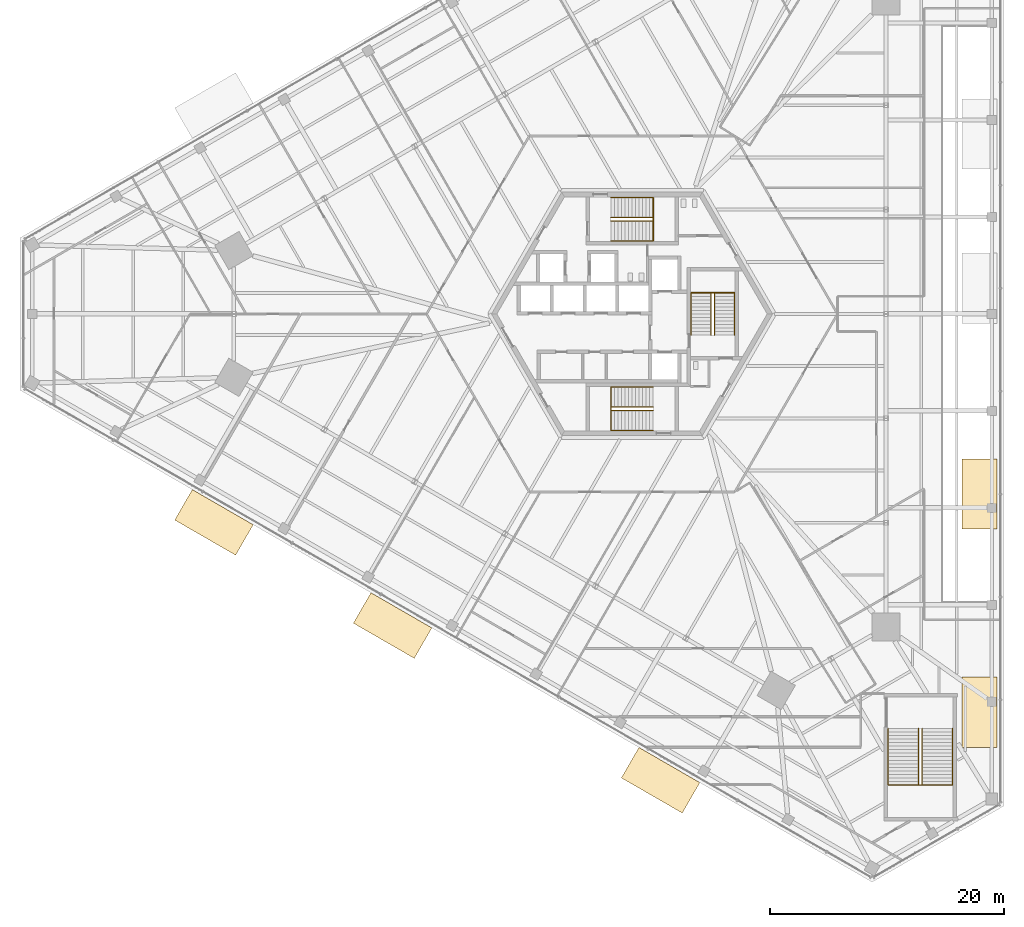
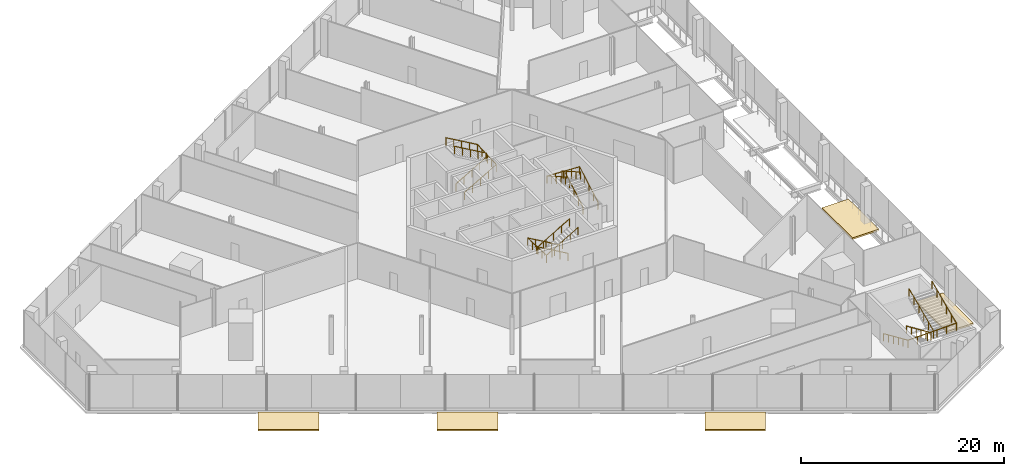
# One storey, part 25 of 27: 8 railings, 5 coverings.
"""IFC4 building model written with IfcOpenShell, lengths in metres."""

from ifc_helpers import new_model, si_unit, direction, frame, origin, origin_2d, place, context, subcontext, project, spatial, rectangle, circle, extrude, source, transform, mapped, material, layer, layer_set, type_object, element, save


model = new_model("IFC4")

# Units and contexts
model_context = context("Model", 3, precision=1e-05, world=origin(), true_north=direction((0.0, 1.0)))
body_context = subcontext(model_context, "Body", "Model", "MODEL_VIEW")
ifc_project = project(units=[si_unit("LENGTHUNIT", "METRE"), si_unit("AREAUNIT", "SQUARE_METRE"), si_unit("VOLUMEUNIT", "CUBIC_METRE"), si_unit("PLANEANGLEUNIT", "RADIAN"), si_unit("MASSUNIT", "GRAM", prefix="KILO")], contexts=[model_context])

# Site, building, storey
site_placement = place(None, origin())
site = spatial("IfcSite", under=ifc_project, at=site_placement, CompositionType="ELEMENT")
building_placement = place(site_placement, origin())
building = spatial("IfcBuilding", under=site, at=building_placement, Name="Triune Harvest Tower", CompositionType="ELEMENT")
storey_placement = place(building_placement, frame((0.0, 0.0, 7.0)))
storey = spatial("IfcBuildingStorey", under=building, at=storey_placement, Name="L01", CompositionType="ELEMENT", Elevation=7.0)

# Railings
ifc_material_1 = material(Name="Stainless steel AISI 316", Category="steel")
railing_type = type_object("IfcRailingType", Name="Stair handrail", PredefinedType="HANDRAIL", material=ifc_material_1)
railing_1_placement = place(storey_placement, frame((21.8701171875, -35.39990234375, 0.13232421875)))
element("IfcRailing", 1, at=railing_1_placement, inside=storey, type_object=railing_type, Name="Podium exit stair south wall handrail", PredefinedType="HANDRAIL", context=body_context, shape_type="SweptSolid", body=[
    extrude(circle(Radius=0.02392578125, at=origin_2d()), frame((0.0, 0.0, 0.8759765625), z_axis=(0.0, -0.914917296127, 0.403641352251), x_axis=(1.0, 0.0, 0.0)), (0.0, 0.0, 1.0), 5.246337890625),
    extrude(circle(Radius=0.02392578125, at=origin_2d()), frame((0.0, -4.800048828125, 2.99365234375), z_axis=(0.999710709072, 0.0, 0.024051988828), x_axis=(0.0, 1.0, 0.0)), (0.0, 0.0, 1.0), 5.501708984375),
    extrude(circle(Radius=0.02392578125, at=origin_2d()), frame((5.5, -4.800048828125, 3.1259765625), z_axis=(0.0, 0.914917296127, 0.403641352251), x_axis=(-1.0, 0.0, 0.0)), (0.0, 0.0, 1.0), 5.246337890625),
    extrude(circle(Radius=0.02099609375, at=origin_2d()), origin(), (0.0, 0.0, 1.0), 0.851806640625),
    extrude(circle(Radius=0.02099609375, at=origin_2d()), frame((0.0, -0.9599609375, 0.423583984375)), (0.0, 0.0, 1.0), 0.851806640625),
    extrude(circle(Radius=0.02099609375, at=origin_2d()), frame((0.0, -1.919921875, 0.84716796875)), (0.0, 0.0, 1.0), 0.851806640625),
    extrude(circle(Radius=0.02099609375, at=origin_2d()), frame((0.0, -2.880126953125, 1.2705078125)), (0.0, 0.0, 1.0), 0.851806640625),
    extrude(circle(Radius=0.02099609375, at=origin_2d()), frame((0.0, -3.840087890625, 1.694091796875)), (0.0, 0.0, 1.0), 0.851806640625),
    extrude(circle(Radius=0.02099609375, at=origin_2d()), frame((0.0, -4.800048828125, 2.11767578125)), (0.0, 0.0, 1.0), 0.851806640625),
    extrude(circle(Radius=0.02099609375, at=origin_2d()), frame((1.10009765625, -4.800048828125, 2.14404296875)), (0.0, 0.0, 1.0), 0.851806640625),
    extrude(circle(Radius=0.02099609375, at=origin_2d()), frame((2.199951171875, -4.800048828125, 2.170654296875)), (0.0, 0.0, 1.0), 0.851806640625),
    extrude(circle(Radius=0.02099609375, at=origin_2d()), frame((3.300048828125, -4.800048828125, 2.197021484375)), (0.0, 0.0, 1.0), 0.851806640625),
    extrude(circle(Radius=0.02099609375, at=origin_2d()), frame((4.39990234375, -4.800048828125, 2.2236328125)), (0.0, 0.0, 1.0), 0.851806640625),
    extrude(circle(Radius=0.02099609375, at=origin_2d()), frame((5.5, -4.800048828125, 2.25)), (0.0, 0.0, 1.0), 0.851806640625),
    extrude(circle(Radius=0.02099609375, at=origin_2d()), frame((5.5, -3.840087890625, 2.673583984375)), (0.0, 0.0, 1.0), 0.851806640625),
    extrude(circle(Radius=0.02099609375, at=origin_2d()), frame((5.5, -2.880126953125, 3.09716796875)), (0.0, 0.0, 1.0), 0.851806640625),
    extrude(circle(Radius=0.02099609375, at=origin_2d()), frame((5.5, -1.919921875, 3.5205078125)), (0.0, 0.0, 1.0), 0.851806640625),
    extrude(circle(Radius=0.02099609375, at=origin_2d()), frame((5.5, -0.9599609375, 3.944091796875)), (0.0, 0.0, 1.0), 0.851806640625),
    extrude(circle(Radius=0.02099609375, at=origin_2d()), frame((5.5, 0.0, 4.36767578125)), (0.0, 0.0, 1.0), 0.851806640625),
])
railing_2_placement = place(storey_placement, frame((24.469970703125, -35.39990234375, 0.13232421875)))
element("IfcRailing", 2, at=railing_2_placement, inside=storey, type_object=railing_type, Name="Podium exit stair south centre handrail", PredefinedType="HANDRAIL", context=body_context, shape_type="SweptSolid", body=[
    extrude(circle(Radius=0.02392578125, at=origin_2d()), frame((0.0, 0.0, 0.8759765625), z_axis=(0.0, -0.914917296127, 0.403641352251), x_axis=(1.0, 0.0, 0.0)), (0.0, 0.0, 1.0), 5.246337890625),
    extrude(circle(Radius=0.02392578125, at=origin_2d()), frame((0.0, -4.800048828125, 2.99365234375), z_axis=(0.914974397301, 0.0, 0.403511898566), x_axis=(0.0, 1.0, 0.0)), (0.0, 0.0, 1.0), 0.327880859375),
    extrude(circle(Radius=0.02392578125, at=origin_2d()), frame((0.300048828125, -4.800048828125, 3.1259765625), z_axis=(0.0, 0.914917296127, 0.403641352251), x_axis=(-1.0, 0.0, 0.0)), (0.0, 0.0, 1.0), 5.246337890625),
    extrude(circle(Radius=0.02099609375, at=origin_2d()), origin(), (0.0, 0.0, 1.0), 0.851806640625),
    extrude(circle(Radius=0.02099609375, at=origin_2d()), frame((0.0, -0.9599609375, 0.423583984375)), (0.0, 0.0, 1.0), 0.851806640625),
    extrude(circle(Radius=0.02099609375, at=origin_2d()), frame((0.0, -1.919921875, 0.84716796875)), (0.0, 0.0, 1.0), 0.851806640625),
    extrude(circle(Radius=0.02099609375, at=origin_2d()), frame((0.0, -2.880126953125, 1.2705078125)), (0.0, 0.0, 1.0), 0.851806640625),
    extrude(circle(Radius=0.02099609375, at=origin_2d()), frame((0.0, -3.840087890625, 1.694091796875)), (0.0, 0.0, 1.0), 0.851806640625),
    extrude(circle(Radius=0.02099609375, at=origin_2d()), frame((0.0, -4.800048828125, 2.11767578125)), (0.0, 0.0, 1.0), 0.851806640625),
    extrude(circle(Radius=0.02099609375, at=origin_2d()), frame((0.300048828125, -4.800048828125, 2.25)), (0.0, 0.0, 1.0), 0.851806640625),
    extrude(circle(Radius=0.02099609375, at=origin_2d()), frame((0.300048828125, -3.840087890625, 2.673583984375)), (0.0, 0.0, 1.0), 0.851806640625),
    extrude(circle(Radius=0.02099609375, at=origin_2d()), frame((0.300048828125, -2.880126953125, 3.09716796875)), (0.0, 0.0, 1.0), 0.851806640625),
    extrude(circle(Radius=0.02099609375, at=origin_2d()), frame((0.300048828125, -1.919921875, 3.5205078125)), (0.0, 0.0, 1.0), 0.851806640625),
    extrude(circle(Radius=0.02099609375, at=origin_2d()), frame((0.300048828125, -0.9599609375, 3.944091796875)), (0.0, 0.0, 1.0), 0.851806640625),
    extrude(circle(Radius=0.02099609375, at=origin_2d()), frame((0.300048828125, 0.0, 4.36767578125)), (0.0, 0.0, 1.0), 0.851806640625),
])
shared_shape_1 = source(origin(), body_context, "Body", "SweptSolid", [
    extrude(circle(Radius=0.02392578125, at=origin_2d()), frame((0.0, 0.0, 0.8759765625), z_axis=(0.866193409371, 0.0, 0.499708892819), x_axis=(0.0, 1.0, 0.0)), (0.0, 0.0, 1.0), 4.15625),
    extrude(circle(Radius=0.02392578125, at=origin_2d()), frame((3.60009765625, 0.0, 2.95263671875), z_axis=(0.0, 0.99890745732, 0.046732127169), x_axis=(-1.0, 0.0, 0.0)), (0.0, 0.0, 1.0), 3.7041015625),
    extrude(circle(Radius=0.02392578125, at=origin_2d()), frame((3.60009765625, 3.699951171875, 3.1259765625), z_axis=(-0.866193409371, 0.0, 0.499708892819), x_axis=(0.0, -1.0, 0.0)), (0.0, 0.0, 1.0), 4.15625),
    extrude(circle(Radius=0.02099609375, at=origin_2d()), origin(), (0.0, 0.0, 1.0), 0.851806640625),
    extrude(circle(Radius=0.02099609375, at=origin_2d()), frame((0.89990234375, 0.0, 0.519287109375)), (0.0, 0.0, 1.0), 0.851806640625),
    extrude(circle(Radius=0.02099609375, at=origin_2d()), frame((1.800048828125, 0.0, 1.03857421875)), (0.0, 0.0, 1.0), 0.851806640625),
    extrude(circle(Radius=0.02099609375, at=origin_2d()), frame((2.7001953125, 0.0, 1.5576171875)), (0.0, 0.0, 1.0), 0.851806640625),
    extrude(circle(Radius=0.02099609375, at=origin_2d()), frame((3.60009765625, 0.0, 2.076904296875)), (0.0, 0.0, 1.0), 0.851806640625),
    extrude(circle(Radius=0.02099609375, at=origin_2d()), frame((3.60009765625, 0.925048828125, 2.1201171875)), (0.0, 0.0, 1.0), 0.851806640625),
    extrude(circle(Radius=0.02099609375, at=origin_2d()), frame((3.60009765625, 1.85009765625, 2.16357421875)), (0.0, 0.0, 1.0), 0.851806640625),
    extrude(circle(Radius=0.02099609375, at=origin_2d()), frame((3.60009765625, 2.77490234375, 2.206787109375)), (0.0, 0.0, 1.0), 0.851806640625),
    extrude(circle(Radius=0.02099609375, at=origin_2d()), frame((3.60009765625, 3.699951171875, 2.25)), (0.0, 0.0, 1.0), 0.851806640625),
    extrude(circle(Radius=0.02099609375, at=origin_2d()), frame((2.7001953125, 3.699951171875, 2.769287109375)), (0.0, 0.0, 1.0), 0.851806640625),
    extrude(circle(Radius=0.02099609375, at=origin_2d()), frame((1.800048828125, 3.699951171875, 3.28857421875)), (0.0, 0.0, 1.0), 0.851806640625),
    extrude(circle(Radius=0.02099609375, at=origin_2d()), frame((0.89990234375, 3.699951171875, 3.8076171875)), (0.0, 0.0, 1.0), 0.851806640625),
    extrude(circle(Radius=0.02099609375, at=origin_2d()), frame((0.0, 3.699951171875, 4.326904296875)), (0.0, 0.0, 1.0), 0.851806640625),
])
railing_3_placement = place(storey_placement, frame((-1.7900390625, 6.239990234375, 0.173095703125)))
element("IfcRailing", 3, at=railing_3_placement, inside=storey, type_object=railing_type, Name="Exit stair north wall handrail", PredefinedType="HANDRAIL", context=body_context, shape_type="MappedRepresentation", body=[
    mapped(shared_shape_1, transform((0.0, 0.0, 0.0), scale=1.0)),
])
shared_shape_2 = source(origin(), body_context, "Body", "SweptSolid", [
    extrude(circle(Radius=0.02392578125, at=origin_2d()), frame((0.0, 0.0, 0.8759765625), z_axis=(0.866193409371, 0.0, 0.499708892819), x_axis=(0.0, 1.0, 0.0)), (0.0, 0.0, 1.0), 4.15625),
    extrude(circle(Radius=0.02392578125, at=origin_2d()), frame((3.60009765625, 0.0, 2.95263671875), z_axis=(0.0, 0.866197319414, 0.499702115105), x_axis=(-1.0, 0.0, 0.0)), (0.0, 0.0, 1.0), 0.346435546875),
    extrude(circle(Radius=0.02392578125, at=origin_2d()), frame((3.60009765625, 0.300048828125, 3.1259765625), z_axis=(-0.866193409371, 0.0, 0.499708892819), x_axis=(0.0, -1.0, 0.0)), (0.0, 0.0, 1.0), 4.15625),
    extrude(circle(Radius=0.02099609375, at=origin_2d()), origin(), (0.0, 0.0, 1.0), 0.851806640625),
    extrude(circle(Radius=0.02099609375, at=origin_2d()), frame((0.89990234375, 0.0, 0.519287109375)), (0.0, 0.0, 1.0), 0.851806640625),
    extrude(circle(Radius=0.02099609375, at=origin_2d()), frame((1.800048828125, 0.0, 1.03857421875)), (0.0, 0.0, 1.0), 0.851806640625),
    extrude(circle(Radius=0.02099609375, at=origin_2d()), frame((2.7001953125, 0.0, 1.5576171875)), (0.0, 0.0, 1.0), 0.851806640625),
    extrude(circle(Radius=0.02099609375, at=origin_2d()), frame((3.60009765625, 0.0, 2.076904296875)), (0.0, 0.0, 1.0), 0.851806640625),
    extrude(circle(Radius=0.02099609375, at=origin_2d()), frame((3.60009765625, 0.300048828125, 2.25)), (0.0, 0.0, 1.0), 0.851806640625),
    extrude(circle(Radius=0.02099609375, at=origin_2d()), frame((2.7001953125, 0.300048828125, 2.769287109375)), (0.0, 0.0, 1.0), 0.851806640625),
    extrude(circle(Radius=0.02099609375, at=origin_2d()), frame((1.800048828125, 0.300048828125, 3.28857421875)), (0.0, 0.0, 1.0), 0.851806640625),
    extrude(circle(Radius=0.02099609375, at=origin_2d()), frame((0.89990234375, 0.300048828125, 3.8076171875)), (0.0, 0.0, 1.0), 0.851806640625),
    extrude(circle(Radius=0.02099609375, at=origin_2d()), frame((0.0, 0.300048828125, 4.326904296875)), (0.0, 0.0, 1.0), 0.851806640625),
])
railing_4_placement = place(storey_placement, frame((-1.7900390625, 7.93994140625, 0.173095703125)))
element("IfcRailing", 4, at=railing_4_placement, inside=storey, type_object=railing_type, Name="Exit stair north centre handrail", PredefinedType="HANDRAIL", context=body_context, shape_type="MappedRepresentation", body=[
    mapped(shared_shape_2, transform((0.0, 0.0, 0.0), scale=1.0)),
])
shared_shape_3 = source(origin(), body_context, "Body", "SweptSolid", [
    extrude(circle(Radius=0.02392578125, at=origin_2d()), frame((0.0, 0.0, 0.8759765625), z_axis=(-0.866193409371, 0.0, 0.499708892819), x_axis=(0.0, -1.0, 0.0)), (0.0, 0.0, 1.0), 4.15625),
    extrude(circle(Radius=0.02392578125, at=origin_2d()), frame((-3.60009765625, 0.0, 2.95263671875), z_axis=(0.0, -0.99890745732, 0.046732127169), x_axis=(1.0, 0.0, 0.0)), (0.0, 0.0, 1.0), 3.7041015625),
    extrude(circle(Radius=0.02392578125, at=origin_2d()), frame((-3.60009765625, -3.699951171875, 3.1259765625), z_axis=(0.866193409371, 0.0, 0.499708892819), x_axis=(0.0, 1.0, 0.0)), (0.0, 0.0, 1.0), 4.15625),
    extrude(circle(Radius=0.02099609375, at=origin_2d()), origin(), (0.0, 0.0, 1.0), 0.851806640625),
    extrude(circle(Radius=0.02099609375, at=origin_2d()), frame((-0.89990234375, 0.0, 0.519287109375)), (0.0, 0.0, 1.0), 0.851806640625),
    extrude(circle(Radius=0.02099609375, at=origin_2d()), frame((-1.800048828125, 0.0, 1.03857421875)), (0.0, 0.0, 1.0), 0.851806640625),
    extrude(circle(Radius=0.02099609375, at=origin_2d()), frame((-2.7001953125, 0.0, 1.5576171875)), (0.0, 0.0, 1.0), 0.851806640625),
    extrude(circle(Radius=0.02099609375, at=origin_2d()), frame((-3.60009765625, 0.0, 2.076904296875)), (0.0, 0.0, 1.0), 0.851806640625),
    extrude(circle(Radius=0.02099609375, at=origin_2d()), frame((-3.60009765625, -0.925048828125, 2.1201171875)), (0.0, 0.0, 1.0), 0.851806640625),
    extrude(circle(Radius=0.02099609375, at=origin_2d()), frame((-3.60009765625, -1.85009765625, 2.16357421875)), (0.0, 0.0, 1.0), 0.851806640625),
    extrude(circle(Radius=0.02099609375, at=origin_2d()), frame((-3.60009765625, -2.77490234375, 2.206787109375)), (0.0, 0.0, 1.0), 0.851806640625),
    extrude(circle(Radius=0.02099609375, at=origin_2d()), frame((-3.60009765625, -3.699951171875, 2.25)), (0.0, 0.0, 1.0), 0.851806640625),
    extrude(circle(Radius=0.02099609375, at=origin_2d()), frame((-2.7001953125, -3.699951171875, 2.769287109375)), (0.0, 0.0, 1.0), 0.851806640625),
    extrude(circle(Radius=0.02099609375, at=origin_2d()), frame((-1.800048828125, -3.699951171875, 3.28857421875)), (0.0, 0.0, 1.0), 0.851806640625),
    extrude(circle(Radius=0.02099609375, at=origin_2d()), frame((-0.89990234375, -3.699951171875, 3.8076171875)), (0.0, 0.0, 1.0), 0.851806640625),
    extrude(circle(Radius=0.02099609375, at=origin_2d()), frame((0.0, -3.699951171875, 4.326904296875)), (0.0, 0.0, 1.0), 0.851806640625),
])
railing_5_placement = place(storey_placement, frame((1.7900390625, -6.239990234375, 0.173095703125)))
element("IfcRailing", 5, at=railing_5_placement, inside=storey, type_object=railing_type, Name="Exit stair south wall handrail", PredefinedType="HANDRAIL", context=body_context, shape_type="MappedRepresentation", body=[
    mapped(shared_shape_3, transform((0.0, 0.0, 0.0), scale=1.0)),
])
shared_shape_4 = source(origin(), body_context, "Body", "SweptSolid", [
    extrude(circle(Radius=0.02392578125, at=origin_2d()), frame((0.0, 0.0, 0.8759765625), z_axis=(-0.866193409371, 0.0, 0.499708892819), x_axis=(0.0, -1.0, 0.0)), (0.0, 0.0, 1.0), 4.15625),
    extrude(circle(Radius=0.02392578125, at=origin_2d()), frame((-3.60009765625, 0.0, 2.95263671875), z_axis=(0.0, -0.866197319414, 0.499702115105), x_axis=(1.0, 0.0, 0.0)), (0.0, 0.0, 1.0), 0.346435546875),
    extrude(circle(Radius=0.02392578125, at=origin_2d()), frame((-3.60009765625, -0.300048828125, 3.1259765625), z_axis=(0.866193409371, 0.0, 0.499708892819), x_axis=(0.0, 1.0, 0.0)), (0.0, 0.0, 1.0), 4.15625),
    extrude(circle(Radius=0.02099609375, at=origin_2d()), origin(), (0.0, 0.0, 1.0), 0.851806640625),
    extrude(circle(Radius=0.02099609375, at=origin_2d()), frame((-0.89990234375, 0.0, 0.519287109375)), (0.0, 0.0, 1.0), 0.851806640625),
    extrude(circle(Radius=0.02099609375, at=origin_2d()), frame((-1.800048828125, 0.0, 1.03857421875)), (0.0, 0.0, 1.0), 0.851806640625),
    extrude(circle(Radius=0.02099609375, at=origin_2d()), frame((-2.7001953125, 0.0, 1.5576171875)), (0.0, 0.0, 1.0), 0.851806640625),
    extrude(circle(Radius=0.02099609375, at=origin_2d()), frame((-3.60009765625, 0.0, 2.076904296875)), (0.0, 0.0, 1.0), 0.851806640625),
    extrude(circle(Radius=0.02099609375, at=origin_2d()), frame((-3.60009765625, -0.300048828125, 2.25)), (0.0, 0.0, 1.0), 0.851806640625),
    extrude(circle(Radius=0.02099609375, at=origin_2d()), frame((-2.7001953125, -0.300048828125, 2.769287109375)), (0.0, 0.0, 1.0), 0.851806640625),
    extrude(circle(Radius=0.02099609375, at=origin_2d()), frame((-1.800048828125, -0.300048828125, 3.28857421875)), (0.0, 0.0, 1.0), 0.851806640625),
    extrude(circle(Radius=0.02099609375, at=origin_2d()), frame((-0.89990234375, -0.300048828125, 3.8076171875)), (0.0, 0.0, 1.0), 0.851806640625),
    extrude(circle(Radius=0.02099609375, at=origin_2d()), frame((0.0, -0.300048828125, 4.326904296875)), (0.0, 0.0, 1.0), 0.851806640625),
])
railing_6_placement = place(storey_placement, frame((1.7900390625, -7.93994140625, 0.173095703125)))
element("IfcRailing", 6, at=railing_6_placement, inside=storey, type_object=railing_type, Name="Exit stair south centre handrail", PredefinedType="HANDRAIL", context=body_context, shape_type="MappedRepresentation", body=[
    mapped(shared_shape_4, transform((0.0, 0.0, 0.0), scale=1.0)),
])
shared_shape_5 = source(origin(), body_context, "Body", "SweptSolid", [
    extrude(circle(Radius=0.02392578125, at=origin_2d()), frame((0.0, 0.0, 0.8759765625), z_axis=(0.0, 0.866193409371, 0.499708892819), x_axis=(-1.0, 0.0, 0.0)), (0.0, 0.0, 1.0), 4.15625),
    extrude(circle(Radius=0.02392578125, at=origin_2d()), frame((0.0, 3.60009765625, 2.95263671875), z_axis=(-0.99890745732, 0.0, 0.046732127169), x_axis=(0.0, -1.0, 0.0)), (0.0, 0.0, 1.0), 3.7041015625),
    extrude(circle(Radius=0.02392578125, at=origin_2d()), frame((-3.699951171875, 3.60009765625, 3.1259765625), z_axis=(0.0, -0.866193409371, 0.499708892819), x_axis=(1.0, 0.0, 0.0)), (0.0, 0.0, 1.0), 4.15625),
    extrude(circle(Radius=0.02099609375, at=origin_2d()), origin(), (0.0, 0.0, 1.0), 0.851806640625),
    extrude(circle(Radius=0.02099609375, at=origin_2d()), frame((0.0, 0.89990234375, 0.519287109375)), (0.0, 0.0, 1.0), 0.851806640625),
    extrude(circle(Radius=0.02099609375, at=origin_2d()), frame((0.0, 1.800048828125, 1.03857421875)), (0.0, 0.0, 1.0), 0.851806640625),
    extrude(circle(Radius=0.02099609375, at=origin_2d()), frame((0.0, 2.7001953125, 1.5576171875)), (0.0, 0.0, 1.0), 0.851806640625),
    extrude(circle(Radius=0.02099609375, at=origin_2d()), frame((0.0, 3.60009765625, 2.076904296875)), (0.0, 0.0, 1.0), 0.851806640625),
    extrude(circle(Radius=0.02099609375, at=origin_2d()), frame((-0.925048828125, 3.60009765625, 2.1201171875)), (0.0, 0.0, 1.0), 0.851806640625),
    extrude(circle(Radius=0.02099609375, at=origin_2d()), frame((-1.85009765625, 3.60009765625, 2.16357421875)), (0.0, 0.0, 1.0), 0.851806640625),
    extrude(circle(Radius=0.02099609375, at=origin_2d()), frame((-2.77490234375, 3.60009765625, 2.206787109375)), (0.0, 0.0, 1.0), 0.851806640625),
    extrude(circle(Radius=0.02099609375, at=origin_2d()), frame((-3.699951171875, 3.60009765625, 2.25)), (0.0, 0.0, 1.0), 0.851806640625),
    extrude(circle(Radius=0.02099609375, at=origin_2d()), frame((-3.699951171875, 2.7001953125, 2.769287109375)), (0.0, 0.0, 1.0), 0.851806640625),
    extrude(circle(Radius=0.02099609375, at=origin_2d()), frame((-3.699951171875, 1.800048828125, 3.28857421875)), (0.0, 0.0, 1.0), 0.851806640625),
    extrude(circle(Radius=0.02099609375, at=origin_2d()), frame((-3.699951171875, 0.89990234375, 3.8076171875)), (0.0, 0.0, 1.0), 0.851806640625),
    extrude(circle(Radius=0.02099609375, at=origin_2d()), frame((-3.699951171875, 0.0, 4.326904296875)), (0.0, 0.0, 1.0), 0.851806640625),
])
railing_7_placement = place(storey_placement, frame((8.75, -1.7900390625, 0.173095703125)))
element("IfcRailing", 7, at=railing_7_placement, inside=storey, type_object=railing_type, Name="Exit stair east wall handrail", PredefinedType="HANDRAIL", context=body_context, shape_type="MappedRepresentation", body=[
    mapped(shared_shape_5, transform((0.0, 0.0, 0.0), scale=1.0)),
])
shared_shape_6 = source(origin(), body_context, "Body", "SweptSolid", [
    extrude(circle(Radius=0.02392578125, at=origin_2d()), frame((0.0, 0.0, 0.8759765625), z_axis=(0.0, 0.866193409371, 0.499708892819), x_axis=(-1.0, 0.0, 0.0)), (0.0, 0.0, 1.0), 4.15625),
    extrude(circle(Radius=0.02392578125, at=origin_2d()), frame((0.0, 3.60009765625, 2.95263671875), z_axis=(-0.866197319414, 0.0, 0.499702115105), x_axis=(0.0, -1.0, 0.0)), (0.0, 0.0, 1.0), 0.346435546875),
    extrude(circle(Radius=0.02392578125, at=origin_2d()), frame((-0.300048828125, 3.60009765625, 3.1259765625), z_axis=(0.0, -0.866193409371, 0.499708892819), x_axis=(1.0, 0.0, 0.0)), (0.0, 0.0, 1.0), 4.15625),
    extrude(circle(Radius=0.02099609375, at=origin_2d()), origin(), (0.0, 0.0, 1.0), 0.851806640625),
    extrude(circle(Radius=0.02099609375, at=origin_2d()), frame((0.0, 0.89990234375, 0.519287109375)), (0.0, 0.0, 1.0), 0.851806640625),
    extrude(circle(Radius=0.02099609375, at=origin_2d()), frame((0.0, 1.800048828125, 1.03857421875)), (0.0, 0.0, 1.0), 0.851806640625),
    extrude(circle(Radius=0.02099609375, at=origin_2d()), frame((0.0, 2.7001953125, 1.5576171875)), (0.0, 0.0, 1.0), 0.851806640625),
    extrude(circle(Radius=0.02099609375, at=origin_2d()), frame((0.0, 3.60009765625, 2.076904296875)), (0.0, 0.0, 1.0), 0.851806640625),
    extrude(circle(Radius=0.02099609375, at=origin_2d()), frame((-0.300048828125, 3.60009765625, 2.25)), (0.0, 0.0, 1.0), 0.851806640625),
    extrude(circle(Radius=0.02099609375, at=origin_2d()), frame((-0.300048828125, 2.7001953125, 2.769287109375)), (0.0, 0.0, 1.0), 0.851806640625),
    extrude(circle(Radius=0.02099609375, at=origin_2d()), frame((-0.300048828125, 1.800048828125, 3.28857421875)), (0.0, 0.0, 1.0), 0.851806640625),
    extrude(circle(Radius=0.02099609375, at=origin_2d()), frame((-0.300048828125, 0.89990234375, 3.8076171875)), (0.0, 0.0, 1.0), 0.851806640625),
    extrude(circle(Radius=0.02099609375, at=origin_2d()), frame((-0.300048828125, 0.0, 4.326904296875)), (0.0, 0.0, 1.0), 0.851806640625),
])
railing_8_placement = place(storey_placement, frame((7.050048828125, -1.7900390625, 0.173095703125)))
element("IfcRailing", 8, at=railing_8_placement, inside=storey, type_object=railing_type, Name="Exit stair east centre handrail", PredefinedType="HANDRAIL", context=body_context, shape_type="MappedRepresentation", body=[
    mapped(shared_shape_6, transform((0.0, 0.0, 0.0), scale=1.0)),
])

# Coverings
ifc_material_2 = material(Name="Aluminium bronze anodised", Category="aluminium")
ifc_layer = layer(ifc_material_2, 0.199951171875)
ifc_layer_set = layer_set([ifc_layer], Name="Aluminium bronze anodised")
covering_type = type_object("IfcCoveringType", Name="CN-1 entrance canopy 200", PredefinedType="USERDEFINED", material=ifc_layer_set)
shared_shape_7 = source(origin(), body_context, "Body", "SweptSolid", [
    extrude(rectangle(XDim=3.0, YDim=6.0, at=origin_2d()), origin(), (0.0, 0.0, 1.0), 0.199951171875),
])
for number, where, z_axis, x_axis, name in (
    (9, (29.654296875, -34.0, -0.2001953125), (0.0, 0.0, 1.0), (1.0, 0.0, 0.0), "Entrance canopy L00-E01"),
    (10, (29.654296875, -15.36669921875, -0.2001953125), (0.0, 0.0, 1.0), (1.0, 0.0, 0.0), "Entrance canopy L00-E02"),
    (11, (-35.69189453125, -17.7919921875, -0.2001953125), (0.0, 0.0, 1.0), (-0.5, -0.866025403784, 0.0), "Entrance canopy L00-E09"),
    (12, (-20.440185546875, -26.59765625, -0.2001953125), (0.0, 0.0, 1.0), (-0.5, -0.866025403784, 0.0), "Entrance canopy L00-E10"),
    (13, (2.4375, -39.80615234375, -0.2001953125), (0.0, 0.0, 1.0), (-0.5, -0.866025403784, 0.0), "Entrance canopy L00-E11"),
):
    element("IfcCovering", number, at=place(storey_placement, frame(where, z_axis=z_axis, x_axis=x_axis)), inside=storey, type_object=covering_type, Name=name, ObjectType="CANOPY", PredefinedType="USERDEFINED", context=body_context, shape_type="MappedRepresentation", body=[
        mapped(shared_shape_7, transform((0.0, 0.0, 0.0), scale=1.0)),
    ])

save(model, "model.ifc")
